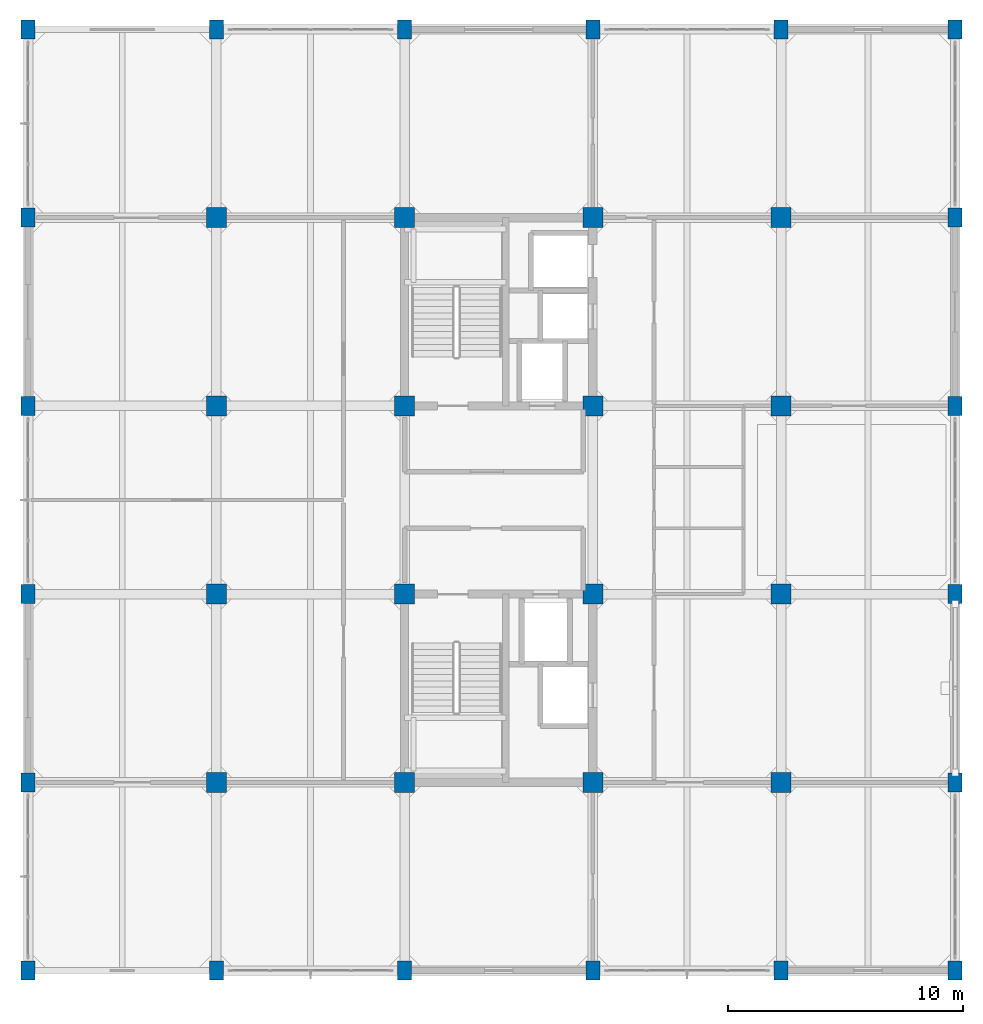
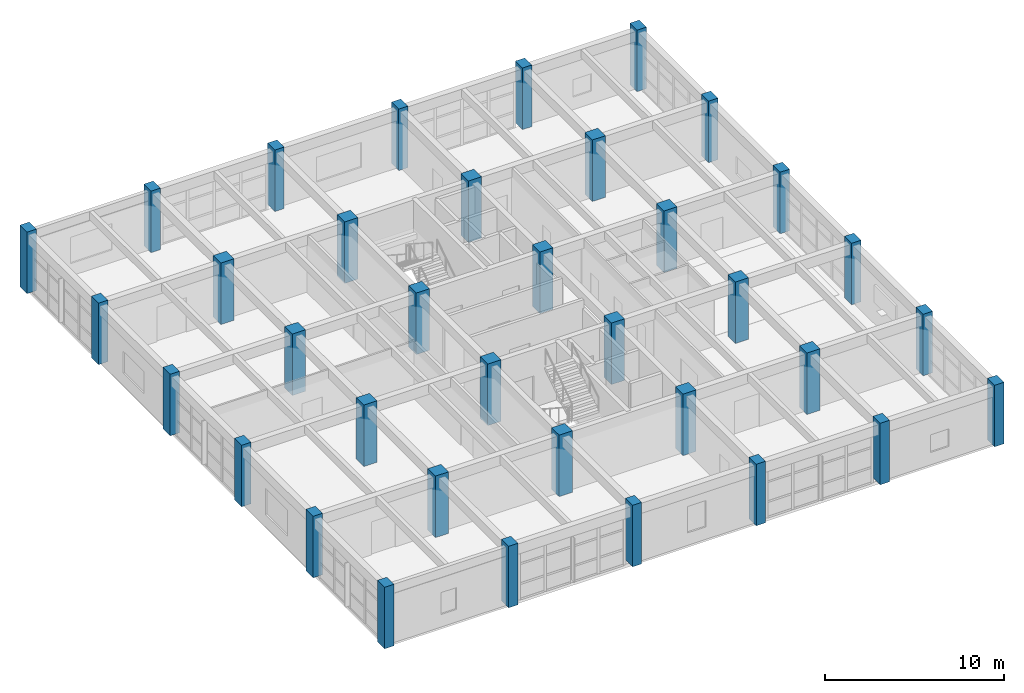
# One storey, part 1 of 27: 36 columns.
"""IFC4 building model written with IfcOpenShell, lengths in metres."""

from ifc_helpers import new_model, si_unit, direction, frame, origin, origin_2d, place, context, subcontext, project, spatial, rectangle, extrude, material, material_profile, profile_set, type_object, element, save


model = new_model("IFC4")

# Units and contexts
model_context = context("Model", 3, precision=1e-05, world=origin(), true_north=direction((0.0, 1.0)))
body_context = subcontext(model_context, "Body", "Model", "MODEL_VIEW")
ifc_project = project(units=[si_unit("LENGTHUNIT", "METRE"), si_unit("AREAUNIT", "SQUARE_METRE"), si_unit("VOLUMEUNIT", "CUBIC_METRE"), si_unit("PLANEANGLEUNIT", "RADIAN"), si_unit("MASSUNIT", "GRAM", prefix="KILO")], contexts=[model_context])

# Site, building, storey
site_placement = place(None, origin())
site = spatial("IfcSite", under=ifc_project, at=site_placement, CompositionType="ELEMENT")
building_placement = place(site_placement, origin())
building = spatial("IfcBuilding", under=site, at=building_placement, Name="Canggui Botanical Conservatory", CompositionType="ELEMENT")
storey_placement = place(building_placement, frame((0.0, 0.0, 31.800048828125)))
storey = spatial("IfcBuildingStorey", under=building, at=storey_placement, Name="L08", CompositionType="ELEMENT", Elevation=31.800048828125)

# Columns
ifc_material = material(Name="Concrete C40", Category="concrete")
ifc_material_profile_1 = material_profile(ifc_material, rectangle(XDim=0.85009765625, YDim=0.85009765625, at=origin_2d()), Name="RC 850x850")
ifc_profile_set_1 = profile_set([ifc_material_profile_1], Name="Concrete C40")
column_type_1 = type_object("IfcColumnType", Name="COL-KZ06", PredefinedType="COLUMN", material=ifc_profile_set_1)
for number, where, z_axis, x_axis, name in (
    (1, (146.0, 42.0, 0.0), (0.0, 0.0, 1.0), (1.0, 0.0, 0.0), "Tower RC Column L08 (146,42)"),
    (2, (146.0, 50.0, 0.0), (0.0, 0.0, 1.0), (1.0, 0.0, 0.0), "Tower RC Column L08 (146,50)"),
    (3, (146.0, 58.0, 0.0), (0.0, 0.0, 1.0), (1.0, 0.0, 0.0), "Tower RC Column L08 (146,58)"),
    (4, (146.0, 66.0, 0.0), (0.0, 0.0, 1.0), (1.0, 0.0, 0.0), "Tower RC Column L08 (146,66)"),
    (5, (154.0, 42.0, 0.0), (0.0, 0.0, 1.0), (1.0, 0.0, 0.0), "Tower RC Column L08 (154,42)"),
    (6, (154.0, 50.0, 0.0), (0.0, 0.0, 1.0), (1.0, 0.0, 0.0), "Tower RC Column L08 (154,50)"),
    (7, (154.0, 58.0, 0.0), (0.0, 0.0, 1.0), (1.0, 0.0, 0.0), "Tower RC Column L08 (154,58)"),
    (8, (154.0, 66.0, 0.0), (0.0, 0.0, 1.0), (1.0, 0.0, 0.0), "Tower RC Column L08 (154,66)"),
    (9, (162.0, 42.0, 0.0), (0.0, 0.0, 1.0), (1.0, 0.0, 0.0), "Tower RC Column L08 (162,42)"),
    (10, (162.0, 50.0, 0.0), (0.0, 0.0, 1.0), (1.0, 0.0, 0.0), "Tower RC Column L08 (162,50)"),
    (11, (162.0, 58.0, 0.0), (0.0, 0.0, 1.0), (1.0, 0.0, 0.0), "Tower RC Column L08 (162,58)"),
    (12, (162.0, 66.0, 0.0), (0.0, 0.0, 1.0), (1.0, 0.0, 0.0), "Tower RC Column L08 (162,66)"),
    (13, (170.0, 42.0, 0.0), (0.0, 0.0, 1.0), (1.0, 0.0, 0.0), "Tower RC Column L08 (170,42)"),
    (14, (170.0, 50.0, 0.0), (0.0, 0.0, 1.0), (1.0, 0.0, 0.0), "Tower RC Column L08 (170,50)"),
    (15, (170.0, 58.0, 0.0), (0.0, 0.0, 1.0), (1.0, 0.0, 0.0), "Tower RC Column L08 (170,58)"),
    (16, (170.0, 66.0, 0.0), (0.0, 0.0, 1.0), (1.0, 0.0, 0.0), "Tower RC Column L08 (170,66)"),
):
    element("IfcColumn", number, at=place(storey_placement, frame(where, z_axis=z_axis, x_axis=x_axis)), inside=storey, type_object=column_type_1, Name=name, PredefinedType="COLUMN", context=body_context, shape_type="SweptSolid", body=[
        extrude(rectangle(XDim=0.85009765625, YDim=0.85009765625, at=origin_2d()), origin(), (0.0, 0.0, 1.0), 4.199951171875),
    ])
ifc_material_profile_2 = material_profile(ifc_material, rectangle(XDim=0.60009765625, YDim=0.800048828125, at=origin_2d()), Name="RC 600x800")
ifc_profile_set_2 = profile_set([ifc_material_profile_2], Name="Concrete C40")
column_type_2 = type_object("IfcColumnType", Name="COL-KZ16", PredefinedType="COLUMN", material=ifc_profile_set_2)
for number, where, z_axis, x_axis, name in (
    (17, (138.0, 34.0, 0.0), (0.0, 0.0, 1.0), (1.0, 0.0, 0.0), "Tower RC Column L08 (138,34)"),
    (18, (138.0, 42.0, 0.0), (0.0, 0.0, 1.0), (1.0, 0.0, 0.0), "Tower RC Column L08 (138,42)"),
    (19, (138.0, 50.0, 0.0), (0.0, 0.0, 1.0), (1.0, 0.0, 0.0), "Tower RC Column L08 (138,50)"),
    (20, (138.0, 58.0, 0.0), (0.0, 0.0, 1.0), (1.0, 0.0, 0.0), "Tower RC Column L08 (138,58)"),
    (21, (138.0, 66.0, 0.0), (0.0, 0.0, 1.0), (1.0, 0.0, 0.0), "Tower RC Column L08 (138,66)"),
    (22, (138.0, 74.0, 0.0), (0.0, 0.0, 1.0), (1.0, 0.0, 0.0), "Tower RC Column L08 (138,74)"),
    (23, (146.0, 34.0, 0.0), (0.0, 0.0, 1.0), (1.0, 0.0, 0.0), "Tower RC Column L08 (146,34)"),
    (24, (146.0, 74.0, 0.0), (0.0, 0.0, 1.0), (1.0, 0.0, 0.0), "Tower RC Column L08 (146,74)"),
    (25, (154.0, 34.0, 0.0), (0.0, 0.0, 1.0), (1.0, 0.0, 0.0), "Tower RC Column L08 (154,34)"),
    (26, (154.0, 74.0, 0.0), (0.0, 0.0, 1.0), (1.0, 0.0, 0.0), "Tower RC Column L08 (154,74)"),
    (27, (162.0, 34.0, 0.0), (0.0, 0.0, 1.0), (1.0, 0.0, 0.0), "Tower RC Column L08 (162,34)"),
    (28, (162.0, 74.0, 0.0), (0.0, 0.0, 1.0), (1.0, 0.0, 0.0), "Tower RC Column L08 (162,74)"),
    (29, (170.0, 34.0, 0.0), (0.0, 0.0, 1.0), (1.0, 0.0, 0.0), "Tower RC Column L08 (170,34)"),
    (30, (170.0, 74.0, 0.0), (0.0, 0.0, 1.0), (1.0, 0.0, 0.0), "Tower RC Column L08 (170,74)"),
    (31, (177.39990234375, 34.0, 0.0), (0.0, 0.0, 1.0), (1.0, 0.0, 0.0), "Tower RC Column L08 (178,34)"),
    (32, (177.39990234375, 42.0, 0.0), (0.0, 0.0, 1.0), (1.0, 0.0, 0.0), "Tower RC Column L08 (178,42)"),
    (33, (177.39990234375, 50.0, 0.0), (0.0, 0.0, 1.0), (1.0, 0.0, 0.0), "Tower RC Column L08 (178,50)"),
    (34, (177.39990234375, 58.0, 0.0), (0.0, 0.0, 1.0), (1.0, 0.0, 0.0), "Tower RC Column L08 (178,58)"),
    (35, (177.39990234375, 66.0, 0.0), (0.0, 0.0, 1.0), (1.0, 0.0, 0.0), "Tower RC Column L08 (178,66)"),
    (36, (177.39990234375, 74.0, 0.0), (0.0, 0.0, 1.0), (1.0, 0.0, 0.0), "Tower RC Column L08 (178,74)"),
):
    element("IfcColumn", number, at=place(storey_placement, frame(where, z_axis=z_axis, x_axis=x_axis)), inside=storey, type_object=column_type_2, Name=name, PredefinedType="COLUMN", context=body_context, shape_type="SweptSolid", body=[
        extrude(rectangle(XDim=0.60009765625, YDim=0.800048828125, at=origin_2d()), origin(), (0.0, 0.0, 1.0), 4.199951171875),
    ])

save(model, "model.ifc")
